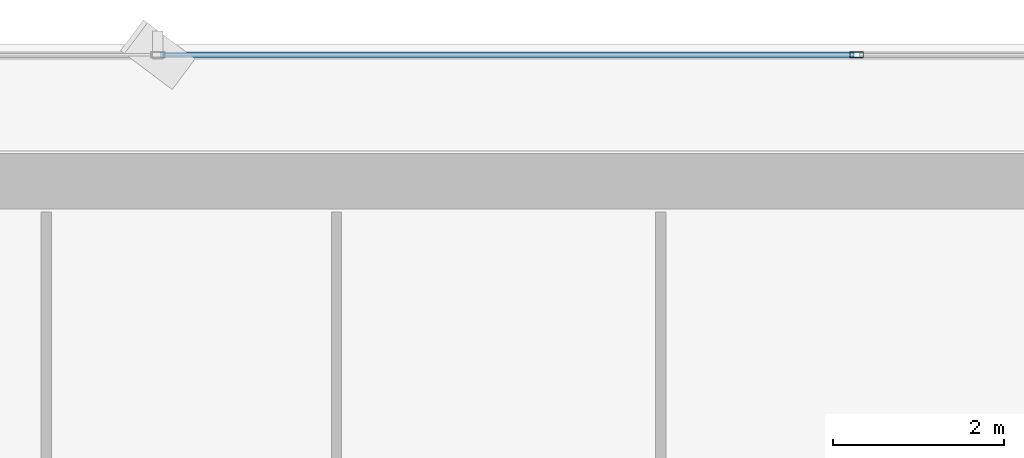
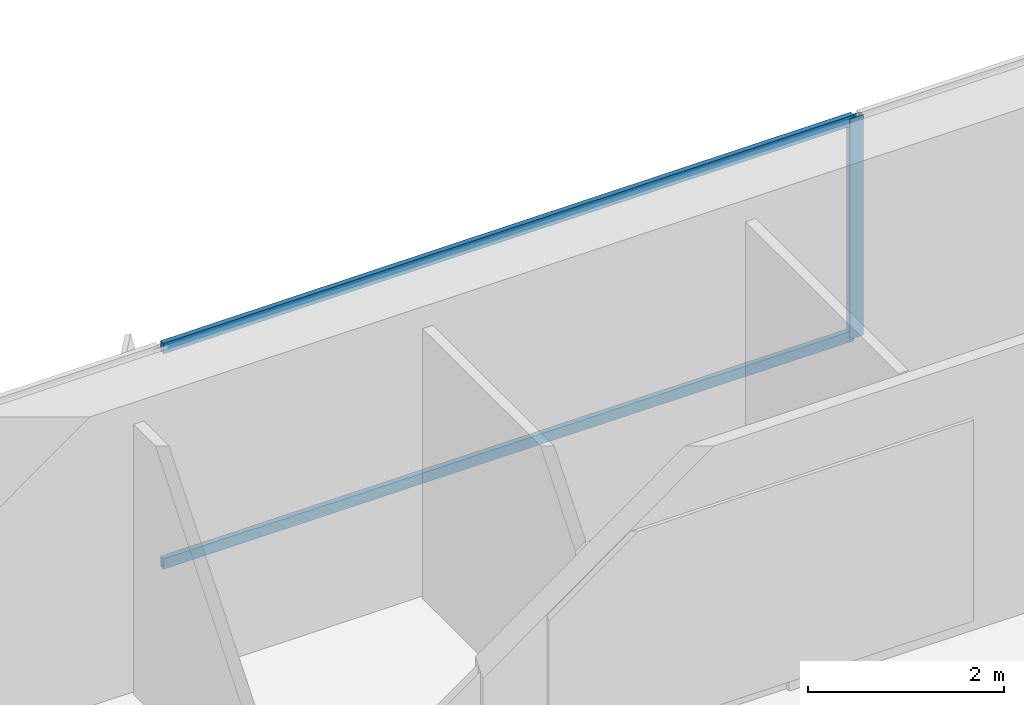
# One storey, part 22 of 36: 3 members, 1 element without a shape of its own.
"""IFC4 building model written with IfcOpenShell, lengths in metres."""

from ifc_helpers import new_model, si_unit, direction, frame, origin, origin_2d, place, context, subcontext, project, spatial, hollow_rectangle, extrude, source, transform, mapped, material, layer, layer_set, material_profile, profile_set, type_object, element, aggregate, save


model = new_model("IFC4")

# Units and contexts
model_context = context("Model", 3, precision=1e-05, world=origin(), true_north=direction((0.0, 1.0)))
body_context = subcontext(model_context, "Body", "Model", "MODEL_VIEW")
ifc_project = project(units=[si_unit("LENGTHUNIT", "METRE"), si_unit("AREAUNIT", "SQUARE_METRE"), si_unit("VOLUMEUNIT", "CUBIC_METRE"), si_unit("PLANEANGLEUNIT", "RADIAN"), si_unit("MASSUNIT", "GRAM", prefix="KILO")], contexts=[model_context])

# Site, building, storey
site_placement = place(None, origin())
site = spatial("IfcSite", under=ifc_project, at=site_placement, CompositionType="ELEMENT")
building_placement = place(site_placement, origin())
building = spatial("IfcBuilding", under=site, at=building_placement, Name="Sumidabori Civic Tower", CompositionType="ELEMENT")
storey_placement = place(building_placement, frame((0.0, 0.0, 77.60009765625)))
storey = spatial("IfcBuildingStorey", under=building, at=storey_placement, Name="L19", CompositionType="ELEMENT", Elevation=77.60009765625)

# Curtain wall, members
ifc_material = material(Name="Anodised Bronze Aluminium AW-6063-T6", Category="aluminium")
ifc_layer = layer(ifc_material, 0.179931640625, Name="Anodised Bronze Aluminium AW-6063-T6")
ifc_layer_set = layer_set([ifc_layer], Name="Anodised Bronze Aluminium AW-6063-T6")
curtain_wall_type = type_object("IfcCurtainWallType", Name="CW-SYS-3", PredefinedType="NOTDEFINED", material=ifc_layer_set)
curtain_wall_placement = place(storey_placement, origin())
curtain_wall = element("IfcCurtainWall", 1, at=curtain_wall_placement, inside=storey, type_object=curtain_wall_type, Name="Curtain Wall CW:L19:R07", PredefinedType="NOTDEFINED")
ifc_material_profile_1 = material_profile(ifc_material, hollow_rectangle(XDim=0.06494140625, YDim=0.159912109375, WallThickness=0.0048828125, at=origin_2d()), Name="ALU MULLION 160x65")
ifc_profile_set_1 = profile_set([ifc_material_profile_1], Name="Anodised Bronze Aluminium AW-6063-T6")
member_type_1 = type_object("IfcMemberType", Name="CW-MUL-160", PredefinedType="MULLION", material=ifc_profile_set_1)
shared_shape_1 = source(origin(), body_context, "Body", "SweptSolid", [
    extrude(hollow_rectangle(XDim=0.06494140625, YDim=0.159912109375, WallThickness=0.0048828125, at=origin_2d()), origin(), (0.0, 0.0, 1.0), 2.739990234375),
])
member_1_placement = place(storey_placement, frame((4.093994140625, 25.280029296875, 0.0), z_axis=(0.0, 0.0, 1.0), x_axis=(0.0, -1.0, 0.0)))
member_1 = element("IfcMember", 2, at=member_1_placement, type_object=member_type_1, Name="CW-3 mullion 3", PredefinedType="MULLION", context=body_context, shape_type="MappedRepresentation", body=[
    mapped(shared_shape_1, transform((0.0, 0.0, 0.0), x_axis=(1.0, 0.0, 0.0), y_axis=(0.0, 1.0, 0.0), z_axis=(0.0, 0.0, 1.0), scale=1.0)),
])
ifc_material_profile_2 = material_profile(ifc_material, hollow_rectangle(XDim=0.06005859375, YDim=0.1298828125, WallThickness=0.0048828125, at=origin_2d()), Name="ALU TRANSOM 130x60")
ifc_profile_set_2 = profile_set([ifc_material_profile_2], Name="Anodised Bronze Aluminium AW-6063-T6")
member_type_2 = type_object("IfcMemberType", Name="CW-TRN-130", PredefinedType="USERDEFINED", material=ifc_profile_set_2)
shared_shape_2 = source(origin(), body_context, "Body", "SweptSolid", [
    extrude(hollow_rectangle(XDim=0.06005859375, YDim=0.1298828125, WallThickness=0.0048828125, at=origin_2d()), origin(), (0.0, 0.0, 1.0), 8.123046875),
])
member_2_placement = place(storey_placement, frame((4.0615234375, 25.280029296875, 0.02978515625), z_axis=(-1.0, 0.0, 0.0), x_axis=(0.0, -1.0, 0.0)))
member_2 = element("IfcMember", 3, at=member_2_placement, type_object=member_type_2, Name="CW-3 transom 3.1", ObjectType="TRANSOM", PredefinedType="USERDEFINED", context=body_context, shape_type="MappedRepresentation", body=[
    mapped(shared_shape_2, transform((0.0, 0.0, 0.0), x_axis=(1.0, 0.0, 0.0), y_axis=(0.0, 1.0, 0.0), z_axis=(0.0, 0.0, 1.0), scale=1.0)),
])
member_3_placement = place(storey_placement, frame((4.0615234375, 25.280029296875, 2.7099609375), z_axis=(-1.0, 0.0, 0.0), x_axis=(0.0, -1.0, 0.0)))
member_3 = element("IfcMember", 4, at=member_3_placement, type_object=member_type_2, Name="CW-3 transom 3.2", ObjectType="TRANSOM", PredefinedType="USERDEFINED", context=body_context, shape_type="MappedRepresentation", body=[
    mapped(shared_shape_2, transform((0.0, 0.0, 0.0), x_axis=(1.0, 0.0, 0.0), y_axis=(0.0, 1.0, 0.0), z_axis=(0.0, 0.0, 1.0), scale=1.0)),
])
aggregate(curtain_wall, [member_1, member_2, member_3])

save(model, "model.ifc")
